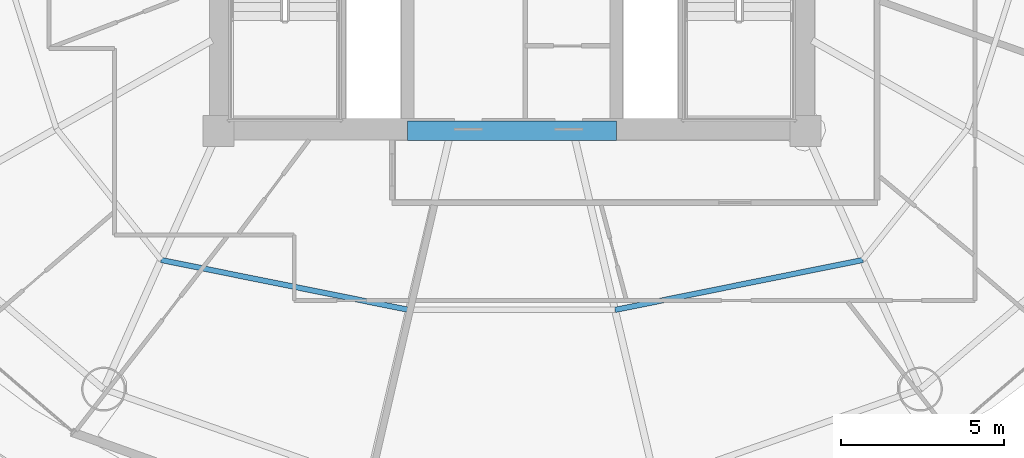
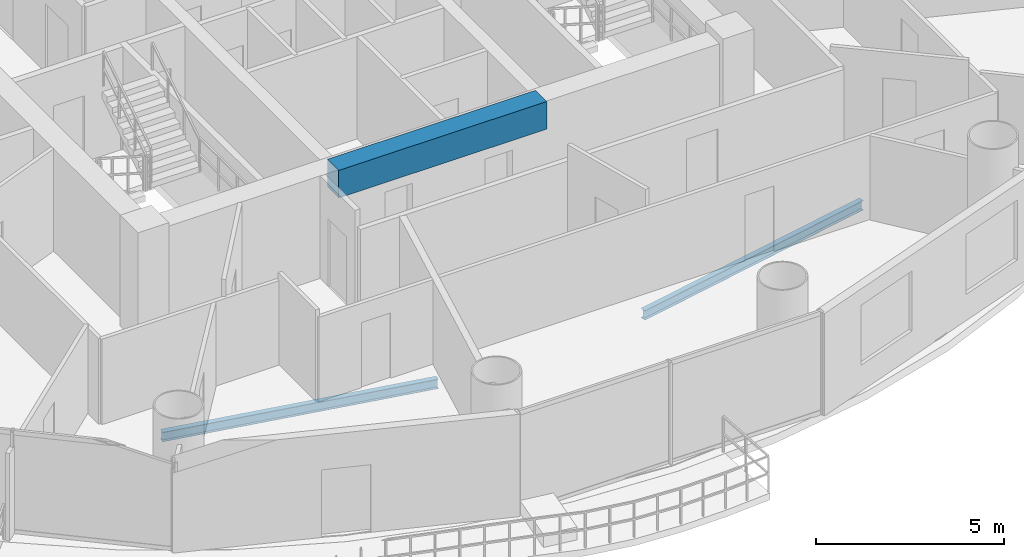
# One storey, part 5 of 26: 3 beams.
"""IFC4 building model written with IfcOpenShell, lengths in metres."""

from ifc_helpers import new_model, si_unit, direction, frame, origin, origin_2d, place, context, subcontext, project, spatial, rectangle, i_section, extrude, material, material_profile, profile_set, type_object, element, save


model = new_model("IFC4")

# Units and contexts
model_context = context("Model", 3, precision=1e-05, world=origin(), true_north=direction((-0.2419218956, 0.970295726276)))
body_context = subcontext(model_context, "Body", "Model", "MODEL_VIEW")
ifc_project = project(units=[si_unit("LENGTHUNIT", "METRE"), si_unit("AREAUNIT", "SQUARE_METRE"), si_unit("VOLUMEUNIT", "CUBIC_METRE"), si_unit("PLANEANGLEUNIT", "RADIAN"), si_unit("MASSUNIT", "GRAM", prefix="KILO")], contexts=[model_context])

# Site, building, storey
site_placement = place(None, origin())
site = spatial("IfcSite", under=ifc_project, at=site_placement, CompositionType="ELEMENT")
building_placement = place(site_placement, origin())
building = spatial("IfcBuilding", under=site, at=building_placement, Name="Cobrevalo Terracotta Tower", CompositionType="ELEMENT")
storey_placement = place(building_placement, frame((0.0, 0.0, 178.60009765625)))
storey = spatial("IfcBuildingStorey", under=building, at=storey_placement, Name="L47", CompositionType="ELEMENT", Elevation=178.60009765625)

# Beams
ifc_material_1 = material(Name="Concrete C60", Category="concrete")
ifc_material_profile_1 = material_profile(ifc_material_1, rectangle(XDim=0.60009765625, YDim=0.89990234375, at=origin_2d()), Name="RC CB 600x900")
ifc_profile_set_1 = profile_set([ifc_material_profile_1], Name="Concrete C60")
beam_type_1 = type_object("IfcBeamType", Name="Structural Beam RC CB 600x900 (Concrete C60)", PredefinedType="BEAM", material=ifc_profile_set_1)
beam_placement = place(storey_placement, frame((34.800048828125, 18.800048828125, 2.8798828125), z_axis=(1.0, 0.0, 0.0), x_axis=(0.0, 1.0, 0.0)))
element("IfcBeam", 1, at=beam_placement, inside=storey, type_object=beam_type_1, Name="L47 core coupling beam 1", PredefinedType="BEAM", context=body_context, shape_type="SweptSolid", body=[
    extrude(rectangle(XDim=0.60009765625, YDim=0.89990234375, at=origin_2d()), origin(), (0.0, 0.0, 1.0), 6.39990234375),
])
ifc_material_2 = material(Name="Steel S355", Category="steel")
ifc_material_profile_2 = material_profile(ifc_material_2, i_section(OverallWidth=0.1650390625, OverallDepth=0.31005859375, WebThickness=0.005859375, FlangeThickness=0.009765625, at=origin_2d()), Name="W 310x38.7")
ifc_profile_set_2 = profile_set([ifc_material_profile_2], Name="Steel S355")
beam_type_2 = type_object("IfcBeamType", Name="Structural Joist W 310x38.7 (Steel S355)", PredefinedType="JOIST", material=ifc_profile_set_2)
for number, where, z_axis, x_axis, name in (
    (2, (27.23583984375, 14.838623046875, -0.425048828125), (0.980293928329, -0.197544461026, 0.0), (0.197544461026, 0.980293928329, 0.0), "L47 circumferential secondary floor joist 11"),
    (3, (41.16064453125, 13.306396484375, -0.425048828125), (0.980293928329, 0.197544461026, 0.0), (-0.197544461026, 0.980293928329, 0.0), "L47 circumferential secondary floor joist 13"),
):
    element("IfcBeam", number, at=place(storey_placement, frame(where, z_axis=z_axis, x_axis=x_axis)), inside=storey, type_object=beam_type_2, Name=name, PredefinedType="JOIST", context=body_context, shape_type="SweptSolid", body=[
        extrude(i_section(OverallWidth=0.1650390625, OverallDepth=0.31005859375, WebThickness=0.005859375, FlangeThickness=0.009765625, at=origin_2d()), origin(), (0.0, 0.0, 1.0), 7.75634765625),
    ])

save(model, "model.ifc")
